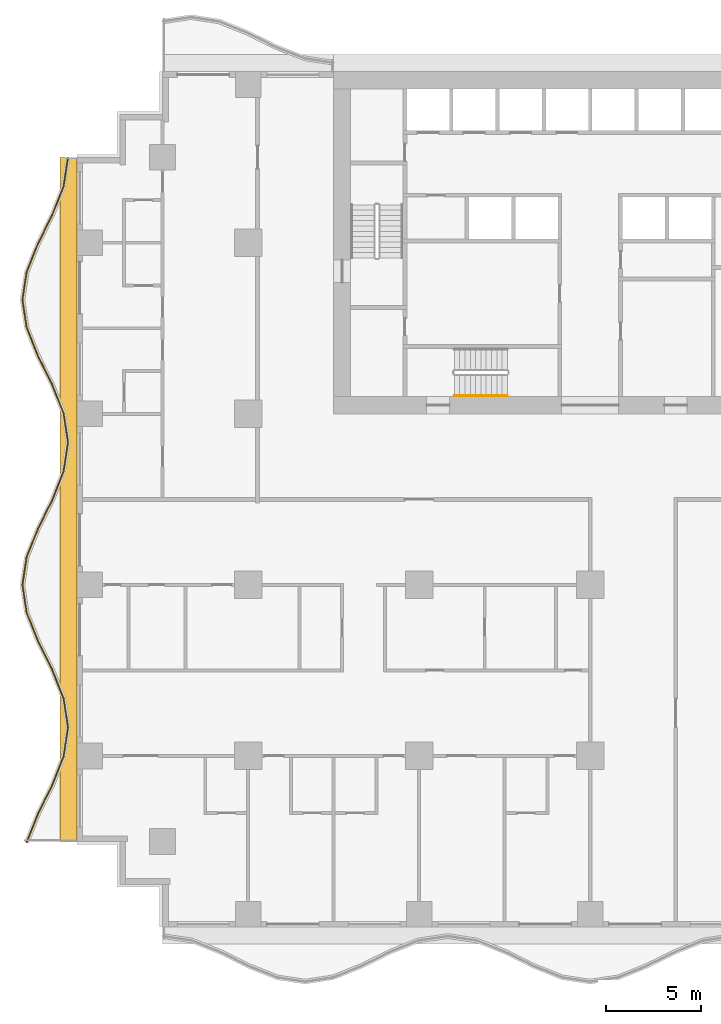
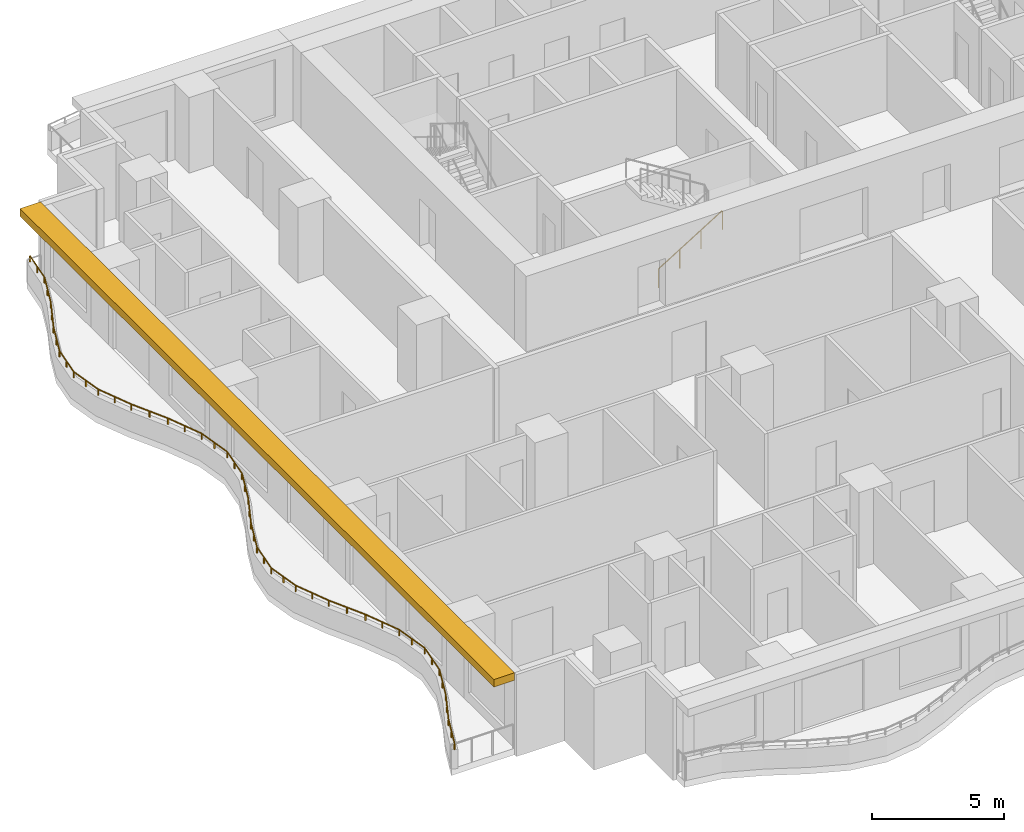
# One storey, part 8 of 13: 2 railings, 1 shading device.
"""IFC4 building model written with IfcOpenShell, lengths in metres."""

from ifc_helpers import new_model, si_unit, direction, frame, origin, origin_2d, place, context, subcontext, project, spatial, polyline, rectangle, circle, outline, extrude, material, layer, layer_set, type_object, element, save


model = new_model("IFC4")

# Units and contexts
model_context = context("Model", 3, precision=1e-05, world=origin(), true_north=direction((0.0, 1.0)))
body_context = subcontext(model_context, "Body", "Model", "MODEL_VIEW")
ifc_project = project(units=[si_unit("LENGTHUNIT", "METRE"), si_unit("AREAUNIT", "SQUARE_METRE"), si_unit("VOLUMEUNIT", "CUBIC_METRE"), si_unit("PLANEANGLEUNIT", "RADIAN"), si_unit("MASSUNIT", "GRAM", prefix="KILO")], contexts=[model_context])

# Site, building, storey
site_placement = place(None, origin())
site = spatial("IfcSite", under=ifc_project, at=site_placement, CompositionType="ELEMENT")
building_placement = place(site_placement, origin())
building = spatial("IfcBuilding", under=site, at=building_placement, Name="Orbiselva Terraces", CompositionType="ELEMENT")
storey_placement = place(building_placement, frame((0.0, 0.0, 69.4)))
storey = spatial("IfcBuildingStorey", under=building, at=storey_placement, Name="L17", CompositionType="ELEMENT", Elevation=69.4)

# Railings
ifc_material_1 = material(Name="Stainless steel", Category="steel")
railing_type_1 = type_object("IfcRailingType", Name="CORE-HANDRAIL-900", PredefinedType="HANDRAIL", material=ifc_material_1)
railing_1_placement = place(storey_placement, frame((-7.15, 5.45, 0.172727)))
element("IfcRailing", 1, at=railing_1_placement, inside=storey, type_object=railing_type_1, Name="L17 S3 stair handrail 1", PredefinedType="HANDRAIL", context=body_context, shape_type="SweptSolid", body=[
    extrude(circle(Radius=0.024, at=origin_2d()), frame((0.0, 0.0, 0.876), z_axis=(0.851088519012, 0.0, 0.52502222125), x_axis=(0.0, 1.0, 0.0)), (0.0, 0.0, 1.0), 3.289905),
    extrude(circle(Radius=0.021, at=origin_2d()), origin(), (0.0, 0.0, 1.0), 0.852),
    extrude(circle(Radius=0.021, at=origin_2d()), frame((0.933333, 0.0, 0.575758)), (0.0, 0.0, 1.0), 0.852),
    extrude(circle(Radius=0.021, at=origin_2d()), frame((1.866667, 0.0, 1.151515)), (0.0, 0.0, 1.0), 0.852),
    extrude(circle(Radius=0.021, at=origin_2d()), frame((2.8, 0.0, 1.727273)), (0.0, 0.0, 1.0), 0.852),
])
ifc_material_2 = material(Name="Bonded two-ply safety glass balustrade, stainless steel posts", Category="steel")
railing_type_2 = type_object("IfcRailingType", Name="ENV-BALUSTRADE-1200", PredefinedType="BALUSTRADE", material=ifc_material_2)
railing_2_placement = place(storey_placement, frame((-27.476434, 17.981121, 0.9)))
element("IfcRailing", 2, at=railing_2_placement, inside=storey, type_object=railing_type_2, Name="Balcony balustrade L17 W", PredefinedType="BALUSTRADE", context=body_context, shape_type="SweptSolid", body=[
    extrude(outline(polyline([(0.028868, 0.0), (0.014434, 0.025), (-0.014434, 0.025), (-0.028868, 0.0), (-0.014434, -0.025), (0.014434, -0.025), (0.028868, 0.0)])), frame((0.0, 0.0, 0.275), z_axis=(-0.151033869252, -0.988528588529, 0.0), x_axis=(0.988528588529, -0.151033869252, 0.0)), (0.0, 0.0, 1.0), 1.531776),
    extrude(outline(polyline([(0.028868, 0.0), (0.014434, 0.025), (-0.014434, 0.025), (-0.028868, 0.0), (-0.014434, -0.025), (0.014434, -0.025), (0.028868, 0.0)])), frame((-0.23135, -1.514204, 0.275), z_axis=(-0.371390359967, -0.92847681744, 0.0), x_axis=(0.92847681744, -0.371390359967, 0.0)), (0.0, 0.0, 1.0), 1.634838),
    extrude(outline(polyline([(0.028868, 0.0), (0.014434, 0.025), (-0.014434, 0.025), (-0.028868, 0.0), (-0.014434, -0.025), (0.014434, -0.025), (0.028868, 0.0)])), frame((-0.838513, -3.032113, 0.275), z_axis=(-0.443212307306, -0.896416672454, 0.0), x_axis=(0.896416672454, -0.443212307306, 0.0)), (0.0, 0.0, 1.0), 1.673329),
    extrude(outline(polyline([(0.028868, 0.0), (0.014434, 0.025), (-0.014434, 0.025), (-0.028868, 0.0), (-0.014434, -0.025), (0.014434, -0.025), (0.028868, 0.0)])), frame((-1.580153, -4.532113, 0.275), z_axis=(-0.371391000387, -0.928476561272, 0.0), x_axis=(0.928476561272, -0.371391000387, 0.0)), (0.0, 0.0, 1.0), 1.596261),
    extrude(outline(polyline([(0.028868, 0.0), (0.014434, 0.025), (-0.014434, 0.025), (-0.028868, 0.0), (-0.014434, -0.025), (0.014434, -0.025), (0.028868, 0.0)])), frame((-2.17299, -6.014204, 0.275), z_axis=(-0.151033749027, -0.988528606898, 0.0), x_axis=(0.988528606898, -0.151033749027, 0.0)), (0.0, 0.0, 1.0), 1.48394),
    extrude(outline(polyline([(0.028868, 0.0), (0.014434, 0.025), (-0.014434, 0.025), (-0.028868, 0.0), (-0.014434, -0.025), (0.014434, -0.025), (0.028868, 0.0)])), frame((-2.397115, -7.481121, 0.275), z_axis=(0.151033749027, -0.988528606898, 0.0), x_axis=(0.988528606898, 0.151033749027, 0.0)), (0.0, 0.0, 1.0), 1.48394),
    extrude(outline(polyline([(0.028868, 0.0), (0.014434, 0.025), (-0.014434, 0.025), (-0.028868, 0.0), (-0.014434, -0.025), (0.014434, -0.025), (0.028868, 0.0)])), frame((-2.17299, -8.948038, 0.275), z_axis=(0.371391000387, -0.928476561272, 0.0), x_axis=(0.928476561272, 0.371391000387, 0.0)), (0.0, 0.0, 1.0), 1.596261),
    extrude(outline(polyline([(0.028868, 0.0), (0.014434, 0.025), (-0.014434, 0.025), (-0.028868, 0.0), (-0.014434, -0.025), (0.014434, -0.025), (0.028868, 0.0)])), frame((-1.580153, -10.430129, 0.275), z_axis=(0.443212307306, -0.896416672454, 0.0), x_axis=(0.896416672454, 0.443212307306, 0.0)), (0.0, 0.0, 1.0), 1.673329),
    extrude(outline(polyline([(0.028868, 0.0), (0.014434, 0.025), (-0.014434, 0.025), (-0.028868, 0.0), (-0.014434, -0.025), (0.014434, -0.025), (0.028868, 0.0)])), frame((-0.838513, -11.930129, 0.275), z_axis=(0.371390359967, -0.92847681744, 0.0), x_axis=(0.92847681744, 0.371390359967, 0.0)), (0.0, 0.0, 1.0), 1.634838),
    extrude(outline(polyline([(0.028868, 0.0), (0.014434, 0.025), (-0.014434, 0.025), (-0.028868, 0.0), (-0.014434, -0.025), (0.014434, -0.025), (0.028868, 0.0)])), frame((-0.23135, -13.448038, 0.275), z_axis=(0.151034211256, -0.988528536275, 0.0), x_axis=(0.988528536275, 0.151034211256, 0.0)), (0.0, 0.0, 1.0), 1.550874),
    extrude(outline(polyline([(0.028868, 0.0), (0.014434, 0.025), (-0.014434, 0.025), (-0.028868, 0.0), (-0.014434, -0.025), (0.014434, -0.025), (0.028868, 0.0)])), frame((0.002885, -14.981121, 0.275), z_axis=(-0.151034211256, -0.988528536275, 0.0), x_axis=(0.988528536275, -0.151034211256, 0.0)), (0.0, 0.0, 1.0), 1.550874),
    extrude(outline(polyline([(0.028868, 0.0), (0.014434, 0.025), (-0.014434, 0.025), (-0.028868, 0.0), (-0.014434, -0.025), (0.014434, -0.025), (0.028868, 0.0)])), frame((-0.23135, -16.514204, 0.275), z_axis=(-0.371390359967, -0.92847681744, 0.0), x_axis=(0.92847681744, -0.371390359967, 0.0)), (0.0, 0.0, 1.0), 1.634838),
    extrude(outline(polyline([(0.028868, 0.0), (0.014434, 0.025), (-0.014434, 0.025), (-0.028868, 0.0), (-0.014434, -0.025), (0.014434, -0.025), (0.028868, 0.0)])), frame((-0.838513, -18.032113, 0.275), z_axis=(-0.443212307306, -0.896416672454, 0.0), x_axis=(0.896416672454, -0.443212307306, 0.0)), (0.0, 0.0, 1.0), 1.673329),
    extrude(outline(polyline([(0.028868, 0.0), (0.014434, 0.025), (-0.014434, 0.025), (-0.028868, 0.0), (-0.014434, -0.025), (0.014434, -0.025), (0.028868, 0.0)])), frame((-1.580153, -19.532113, 0.275), z_axis=(-0.371391000387, -0.928476561272, 0.0), x_axis=(0.928476561272, -0.371391000387, 0.0)), (0.0, 0.0, 1.0), 1.596261),
    extrude(outline(polyline([(0.028868, 0.0), (0.014434, 0.025), (-0.014434, 0.025), (-0.028868, 0.0), (-0.014434, -0.025), (0.014434, -0.025), (0.028868, 0.0)])), frame((-2.17299, -21.014204, 0.275), z_axis=(-0.151033749027, -0.988528606898, 0.0), x_axis=(0.988528606898, -0.151033749027, 0.0)), (0.0, 0.0, 1.0), 1.48394),
    extrude(outline(polyline([(0.028868, 0.0), (0.014434, 0.025), (-0.014434, 0.025), (-0.028868, 0.0), (-0.014434, -0.025), (0.014434, -0.025), (0.028868, 0.0)])), frame((-2.397115, -22.481121, 0.275), z_axis=(0.151033749027, -0.988528606898, 0.0), x_axis=(0.988528606898, 0.151033749027, 0.0)), (0.0, 0.0, 1.0), 1.48394),
    extrude(outline(polyline([(0.028868, 0.0), (0.014434, 0.025), (-0.014434, 0.025), (-0.028868, 0.0), (-0.014434, -0.025), (0.014434, -0.025), (0.028868, 0.0)])), frame((-2.17299, -23.948038, 0.275), z_axis=(0.371391000387, -0.928476561272, 0.0), x_axis=(0.928476561272, 0.371391000387, 0.0)), (0.0, 0.0, 1.0), 1.596261),
    extrude(outline(polyline([(0.028868, 0.0), (0.014434, 0.025), (-0.014434, 0.025), (-0.028868, 0.0), (-0.014434, -0.025), (0.014434, -0.025), (0.028868, 0.0)])), frame((-1.580153, -25.430129, 0.275), z_axis=(0.443212307306, -0.896416672454, 0.0), x_axis=(0.896416672454, 0.443212307306, 0.0)), (0.0, 0.0, 1.0), 1.673329),
    extrude(outline(polyline([(0.028868, 0.0), (0.014434, 0.025), (-0.014434, 0.025), (-0.028868, 0.0), (-0.014434, -0.025), (0.014434, -0.025), (0.028868, 0.0)])), frame((-0.838513, -26.930129, 0.275), z_axis=(0.371390359967, -0.92847681744, 0.0), x_axis=(0.92847681744, 0.371390359967, 0.0)), (0.0, 0.0, 1.0), 1.634838),
    extrude(outline(polyline([(0.028868, 0.0), (0.014434, 0.025), (-0.014434, 0.025), (-0.028868, 0.0), (-0.014434, -0.025), (0.014434, -0.025), (0.028868, 0.0)])), frame((-0.23135, -28.448038, 0.275), z_axis=(0.151034211256, -0.988528536275, 0.0), x_axis=(0.988528536275, 0.151034211256, 0.0)), (0.0, 0.0, 1.0), 1.550874),
    extrude(outline(polyline([(0.028868, 0.0), (0.014434, 0.025), (-0.014434, 0.025), (-0.028868, 0.0), (-0.014434, -0.025), (0.014434, -0.025), (0.028868, 0.0)])), frame((0.002885, -29.981121, 0.275), z_axis=(-0.151034211256, -0.988528536275, 0.0), x_axis=(0.988528536275, -0.151034211256, 0.0)), (0.0, 0.0, 1.0), 1.550874),
    extrude(outline(polyline([(0.028868, 0.0), (0.014434, 0.025), (-0.014434, 0.025), (-0.028868, 0.0), (-0.014434, -0.025), (0.014434, -0.025), (0.028868, 0.0)])), frame((-0.23135, -31.514204, 0.275), z_axis=(-0.371390359967, -0.92847681744, 0.0), x_axis=(0.92847681744, -0.371390359967, 0.0)), (0.0, 0.0, 1.0), 1.634838),
    extrude(outline(polyline([(0.028868, 0.0), (0.014434, 0.025), (-0.014434, 0.025), (-0.028868, 0.0), (-0.014434, -0.025), (0.014434, -0.025), (0.028868, 0.0)])), frame((-0.838513, -33.032113, 0.275), z_axis=(-0.443212307306, -0.896416672454, 0.0), x_axis=(0.896416672454, -0.443212307306, 0.0)), (0.0, 0.0, 1.0), 1.673329),
    extrude(outline(polyline([(0.028868, 0.0), (0.014434, 0.025), (-0.014434, 0.025), (-0.028868, 0.0), (-0.014434, -0.025), (0.014434, -0.025), (0.028868, 0.0)])), frame((-1.580153, -34.532113, 0.275), z_axis=(-0.371390783402, -0.928476648066, 0.0), x_axis=(0.928476648066, -0.371390783402, 0.0)), (0.0, 0.0, 1.0), 1.61063),
    extrude(rectangle(XDim=0.05, YDim=0.05, at=origin_2d()), origin(), (0.0, 0.0, 1.0), 0.25),
    extrude(rectangle(XDim=0.05, YDim=0.05, at=origin_2d()), frame((-0.115675, -0.757102, 0.0)), (0.0, 0.0, 1.0), 0.25),
    extrude(rectangle(XDim=0.05, YDim=0.05, at=origin_2d()), frame((-0.23135, -1.514204, 0.0)), (0.0, 0.0, 1.0), 0.25),
    extrude(rectangle(XDim=0.05, YDim=0.05, at=origin_2d()), frame((-0.534931, -2.273159, 0.0)), (0.0, 0.0, 1.0), 0.25),
    extrude(rectangle(XDim=0.05, YDim=0.05, at=origin_2d()), frame((-0.838513, -3.032113, 0.0)), (0.0, 0.0, 1.0), 0.25),
    extrude(rectangle(XDim=0.05, YDim=0.05, at=origin_2d()), frame((-1.209333, -3.782113, 0.0)), (0.0, 0.0, 1.0), 0.25),
    extrude(rectangle(XDim=0.05, YDim=0.05, at=origin_2d()), frame((-1.580153, -4.532113, 0.0)), (0.0, 0.0, 1.0), 0.25),
    extrude(rectangle(XDim=0.05, YDim=0.05, at=origin_2d()), frame((-1.876571, -5.273159, 0.0)), (0.0, 0.0, 1.0), 0.25),
    extrude(rectangle(XDim=0.05, YDim=0.05, at=origin_2d()), frame((-2.17299, -6.014204, 0.0)), (0.0, 0.0, 1.0), 0.25),
    extrude(rectangle(XDim=0.05, YDim=0.05, at=origin_2d()), frame((-2.285052, -6.747663, 0.0)), (0.0, 0.0, 1.0), 0.25),
    extrude(rectangle(XDim=0.05, YDim=0.05, at=origin_2d()), frame((-2.397115, -7.481121, 0.0)), (0.0, 0.0, 1.0), 0.25),
    extrude(rectangle(XDim=0.05, YDim=0.05, at=origin_2d()), frame((-2.285052, -8.21458, 0.0)), (0.0, 0.0, 1.0), 0.25),
    extrude(rectangle(XDim=0.05, YDim=0.05, at=origin_2d()), frame((-2.17299, -8.948038, 0.0)), (0.0, 0.0, 1.0), 0.25),
    extrude(rectangle(XDim=0.05, YDim=0.05, at=origin_2d()), frame((-1.876571, -9.689084, 0.0)), (0.0, 0.0, 1.0), 0.25),
    extrude(rectangle(XDim=0.05, YDim=0.05, at=origin_2d()), frame((-1.580153, -10.430129, 0.0)), (0.0, 0.0, 1.0), 0.25),
    extrude(rectangle(XDim=0.05, YDim=0.05, at=origin_2d()), frame((-1.209333, -11.180129, 0.0)), (0.0, 0.0, 1.0), 0.25),
    extrude(rectangle(XDim=0.05, YDim=0.05, at=origin_2d()), frame((-0.838513, -11.930129, 0.0)), (0.0, 0.0, 1.0), 0.25),
    extrude(rectangle(XDim=0.05, YDim=0.05, at=origin_2d()), frame((-0.534931, -12.689084, 0.0)), (0.0, 0.0, 1.0), 0.25),
    extrude(rectangle(XDim=0.05, YDim=0.05, at=origin_2d()), frame((-0.23135, -13.448038, 0.0)), (0.0, 0.0, 1.0), 0.25),
    extrude(rectangle(XDim=0.05, YDim=0.05, at=origin_2d()), frame((-0.114232, -14.21458, 0.0)), (0.0, 0.0, 1.0), 0.25),
    extrude(rectangle(XDim=0.05, YDim=0.05, at=origin_2d()), frame((0.002885, -14.981121, 0.0)), (0.0, 0.0, 1.0), 0.25),
    extrude(rectangle(XDim=0.05, YDim=0.05, at=origin_2d()), frame((-0.114232, -15.747663, 0.0)), (0.0, 0.0, 1.0), 0.25),
    extrude(rectangle(XDim=0.05, YDim=0.05, at=origin_2d()), frame((-0.23135, -16.514204, 0.0)), (0.0, 0.0, 1.0), 0.25),
    extrude(rectangle(XDim=0.05, YDim=0.05, at=origin_2d()), frame((-0.534931, -17.273158, 0.0)), (0.0, 0.0, 1.0), 0.25),
    extrude(rectangle(XDim=0.05, YDim=0.05, at=origin_2d()), frame((-0.838513, -18.032113, 0.0)), (0.0, 0.0, 1.0), 0.25),
    extrude(rectangle(XDim=0.05, YDim=0.05, at=origin_2d()), frame((-1.209333, -18.782113, 0.0)), (0.0, 0.0, 1.0), 0.25),
    extrude(rectangle(XDim=0.05, YDim=0.05, at=origin_2d()), frame((-1.580153, -19.532113, 0.0)), (0.0, 0.0, 1.0), 0.25),
    extrude(rectangle(XDim=0.05, YDim=0.05, at=origin_2d()), frame((-1.876571, -20.273158, 0.0)), (0.0, 0.0, 1.0), 0.25),
    extrude(rectangle(XDim=0.05, YDim=0.05, at=origin_2d()), frame((-2.17299, -21.014204, 0.0)), (0.0, 0.0, 1.0), 0.25),
    extrude(rectangle(XDim=0.05, YDim=0.05, at=origin_2d()), frame((-2.285052, -21.747663, 0.0)), (0.0, 0.0, 1.0), 0.25),
    extrude(rectangle(XDim=0.05, YDim=0.05, at=origin_2d()), frame((-2.397115, -22.481121, 0.0)), (0.0, 0.0, 1.0), 0.25),
    extrude(rectangle(XDim=0.05, YDim=0.05, at=origin_2d()), frame((-2.285052, -23.21458, 0.0)), (0.0, 0.0, 1.0), 0.25),
    extrude(rectangle(XDim=0.05, YDim=0.05, at=origin_2d()), frame((-2.17299, -23.948038, 0.0)), (0.0, 0.0, 1.0), 0.25),
    extrude(rectangle(XDim=0.05, YDim=0.05, at=origin_2d()), frame((-1.876571, -24.689084, 0.0)), (0.0, 0.0, 1.0), 0.25),
    extrude(rectangle(XDim=0.05, YDim=0.05, at=origin_2d()), frame((-1.580153, -25.430129, 0.0)), (0.0, 0.0, 1.0), 0.25),
    extrude(rectangle(XDim=0.05, YDim=0.05, at=origin_2d()), frame((-1.209333, -26.180129, 0.0)), (0.0, 0.0, 1.0), 0.25),
    extrude(rectangle(XDim=0.05, YDim=0.05, at=origin_2d()), frame((-0.838513, -26.930129, 0.0)), (0.0, 0.0, 1.0), 0.25),
    extrude(rectangle(XDim=0.05, YDim=0.05, at=origin_2d()), frame((-0.534931, -27.689084, 0.0)), (0.0, 0.0, 1.0), 0.25),
    extrude(rectangle(XDim=0.05, YDim=0.05, at=origin_2d()), frame((-0.23135, -28.448038, 0.0)), (0.0, 0.0, 1.0), 0.25),
    extrude(rectangle(XDim=0.05, YDim=0.05, at=origin_2d()), frame((-0.114232, -29.21458, 0.0)), (0.0, 0.0, 1.0), 0.25),
    extrude(rectangle(XDim=0.05, YDim=0.05, at=origin_2d()), frame((0.002885, -29.981121, 0.0)), (0.0, 0.0, 1.0), 0.25),
    extrude(rectangle(XDim=0.05, YDim=0.05, at=origin_2d()), frame((-0.114232, -30.747662, 0.0)), (0.0, 0.0, 1.0), 0.25),
    extrude(rectangle(XDim=0.05, YDim=0.05, at=origin_2d()), frame((-0.23135, -31.514204, 0.0)), (0.0, 0.0, 1.0), 0.25),
    extrude(rectangle(XDim=0.05, YDim=0.05, at=origin_2d()), frame((-0.534931, -32.273158, 0.0)), (0.0, 0.0, 1.0), 0.25),
    extrude(rectangle(XDim=0.05, YDim=0.05, at=origin_2d()), frame((-0.838513, -33.032113, 0.0)), (0.0, 0.0, 1.0), 0.25),
    extrude(rectangle(XDim=0.05, YDim=0.05, at=origin_2d()), frame((-1.209333, -33.782113, 0.0)), (0.0, 0.0, 1.0), 0.25),
    extrude(rectangle(XDim=0.05, YDim=0.05, at=origin_2d()), frame((-1.580153, -34.532113, 0.0)), (0.0, 0.0, 1.0), 0.25),
    extrude(rectangle(XDim=0.05, YDim=0.05, at=origin_2d()), frame((-1.879239, -35.279829, 0.0)), (0.0, 0.0, 1.0), 0.25),
    extrude(rectangle(XDim=0.05, YDim=0.05, at=origin_2d()), frame((-2.178326, -36.027545, 0.0)), (0.0, 0.0, 1.0), 0.25),
])

# Shading device
ifc_material_3 = material(Name="Terracotta baguette sunshade", Category="masonry")
ifc_layer = layer(ifc_material_3, 0.35)
ifc_layer_set = layer_set([ifc_layer], Name="Terracotta baguette sunshade")
shading_device_type = type_object("IfcShadingDeviceType", Name="ENV-SUNSHADE-900x350", PredefinedType="USERDEFINED", material=ifc_layer_set)
shading_device_placement = place(storey_placement, frame((0.0, 0.0, 3.15)))
element("IfcShadingDevice", 3, at=shading_device_placement, inside=storey, type_object=shading_device_type, Name="Sunshade band L17 W", ObjectType="SUNSHADE", PredefinedType="USERDEFINED", context=body_context, shape_type="SweptSolid", body=[
    extrude(outline(polyline([(-27.9, 18.0), (-27.9, -18.0), (-27.0, -18.0), (-27.0, 18.0), (-27.9, 18.0)])), origin(), (0.0, 0.0, 1.0), 0.35),
])

save(model, "model.ifc")
